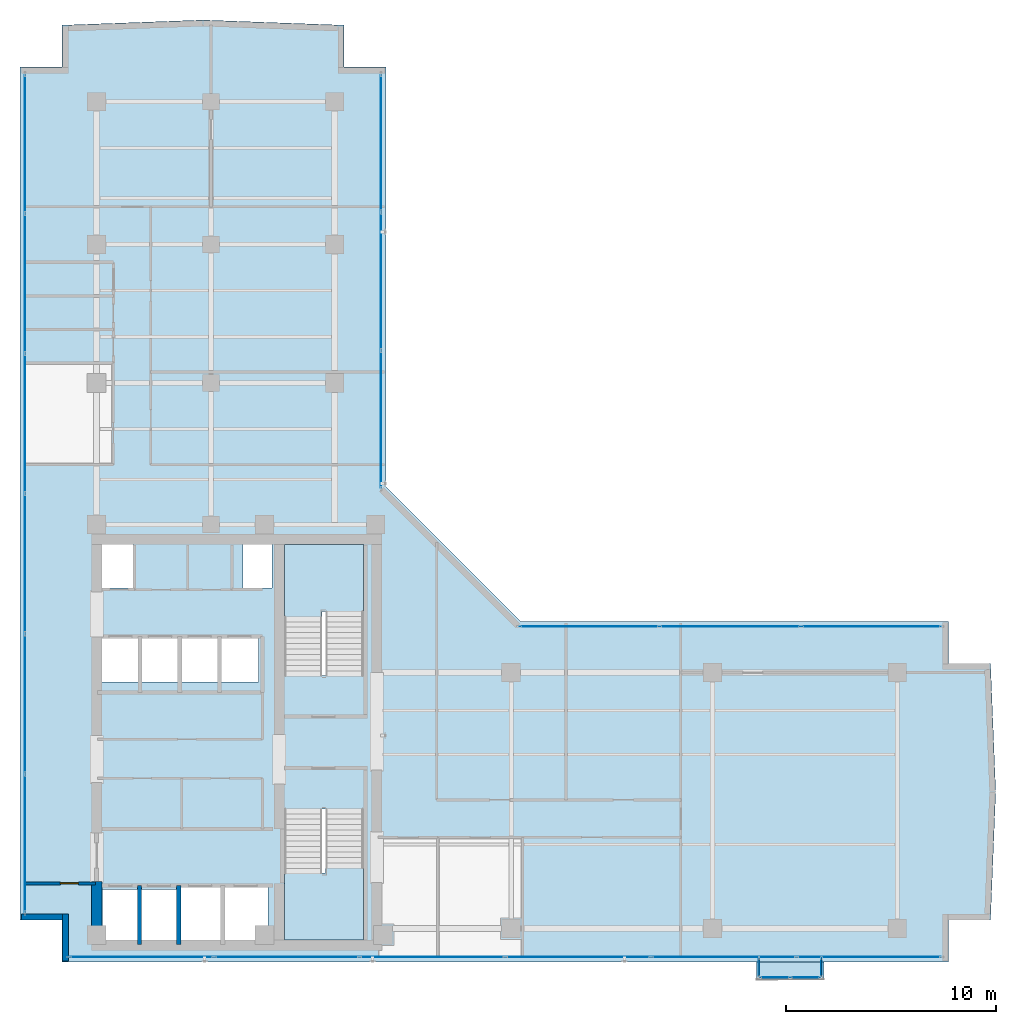
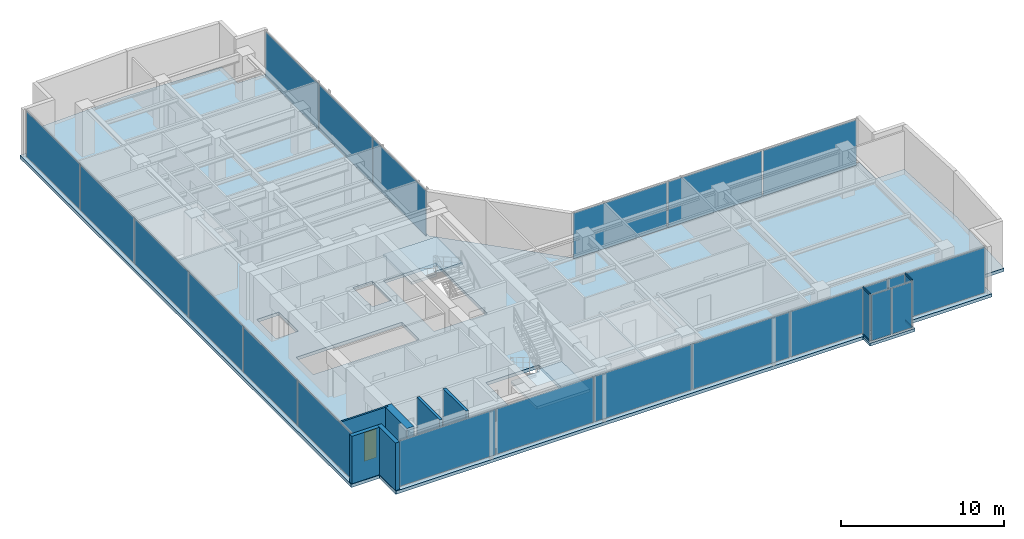
# One storey, part 15 of 23: 22 plates, 6 walls, 4 members, 4 slabs, 1 door, 1 opening, 9 elements without a shape of their own.
"""IFC4 building model written with IfcOpenShell, lengths in metres."""

import ifcopenshell
import ifcopenshell.guid

model = None  # the IFC model being written
_history = None  # IfcOwnerHistory: only IFC2X3 demands one
_inside = {}  # id of a spatial element -> (the spatial element, [elements in it])
_under = {}  # id of a project, library or spatial element -> (it, [spatial elements below it])
_declared = {}  # id of a project -> (the project, [libraries it declares])
_typed = {}  # id of a type object -> (the type object, [elements of that type])
_made_of = {}  # id of a material, layer set ... -> (it, [elements and type objects made of it])


def new_model(schema):
    """Start an empty IFC model of exactly this schema.

    Asked for "IFC4X3", IfcOpenShell would pick the latest addendum, in which some entities
    have other attributes; the version numbers below select the first issue.
    IFC2X3 requires an IfcOwnerHistory on every rooted entity: one is made here for all.
    """
    global model, _history
    if schema == "IFC4X3":
        model = ifcopenshell.file(schema_version=(4, 3, 0, 0))
    else:
        model = ifcopenshell.file(schema=schema)
    _inside.clear()
    _under.clear()
    _declared.clear()
    _typed.clear()
    _made_of.clear()
    _history = None
    if model.schema == "IFC2X3":
        org = make("IfcOrganization", Name="unknown")
        user = make(
            "IfcPersonAndOrganization",
            ThePerson=make("IfcPerson", FamilyName="unknown"),
            TheOrganization=org,
        )
        app = make(
            "IfcApplication",
            ApplicationDeveloper=org,
            Version="unknown",
            ApplicationFullName="unknown",
            ApplicationIdentifier="unknown",
        )
        _history = make(
            "IfcOwnerHistory",
            OwningUser=user,
            OwningApplication=app,
            ChangeAction="ADDED",
            CreationDate=0,
        )
    return model


def make(cls, **values):
    """One entity of the class cls with the attributes given. An attribute that is None is left unset."""
    return model.create_entity(
        cls, **{name: value for name, value in values.items() if value is not None}
    )


def rooted(cls, **values):
    """An entity with a GlobalId (a new one), such as an element, a storey or a relation."""
    return make(cls, GlobalId=ifcopenshell.guid.new(), OwnerHistory=_history, **values)


def si_unit(unit_type, name, prefix=None):
    """IfcSIUnit, for example si_unit("LENGTHUNIT", "METRE", prefix="MILLI")."""
    return make("IfcSIUnit", UnitType=unit_type, Prefix=prefix, Name=name)


def assignment(units):
    """IfcUnitAssignment: the units of a project."""
    return None if units is None else make("IfcUnitAssignment", Units=units)


def point(xyz):
    """IfcCartesianPoint."""
    return None if xyz is None else make("IfcCartesianPoint", Coordinates=xyz)


def direction(xyz):
    """IfcDirection."""
    return None if xyz is None else make("IfcDirection", DirectionRatios=xyz)


def frame(location, z_axis=None, x_axis=None):
    """IfcAxis2Placement3D, a coordinate frame: its origin and axes. An axis left out is left unset."""
    return make(
        "IfcAxis2Placement3D",
        Location=point(location),
        Axis=direction(z_axis),
        RefDirection=direction(x_axis),
    )


def frame_2d(location, x_axis=None):
    """IfcAxis2Placement2D, a coordinate frame in the plane: its origin and x axis."""
    return make(
        "IfcAxis2Placement2D", Location=point(location), RefDirection=direction(x_axis)
    )


def origin():
    """The frame at (0, 0, 0) with its axes left unset."""
    return frame((0.0, 0.0, 0.0))


def origin_with_axes():
    """The frame at (0, 0, 0) with the z axis (0, 0, 1) and the x axis (1, 0, 0) written out."""
    return frame((0.0, 0.0, 0.0), z_axis=(0.0, 0.0, 1.0), x_axis=(1.0, 0.0, 0.0))


def origin_2d():
    """The frame at (0, 0) in the plane with its x axis left unset."""
    return frame_2d((0.0, 0.0))


def place(relative_to, where):
    """IfcLocalPlacement: puts the frame where relative to a parent placement (None: the world)."""
    return make(
        "IfcLocalPlacement", PlacementRelTo=relative_to, RelativePlacement=where
    )


def context(
    kind, dimensions, precision=None, world=None, true_north=None, identifier=None
):
    """IfcGeometricRepresentationContext, for example the 3D "Model" context."""
    return make(
        "IfcGeometricRepresentationContext",
        ContextIdentifier=identifier,
        ContextType=kind,
        CoordinateSpaceDimension=dimensions,
        Precision=precision,
        WorldCoordinateSystem=world,
        TrueNorth=true_north,
    )


def subcontext(parent, identifier, kind, view, scale=None):
    """IfcGeometricRepresentationSubContext, for example "Body" below "Model"."""
    return make(
        "IfcGeometricRepresentationSubContext",
        ContextIdentifier=identifier,
        ContextType=kind,
        ParentContext=parent,
        TargetScale=scale,
        TargetView=view,
    )


def project(units=None, contexts=None):
    """IfcProject with its units and contexts."""
    return rooted(
        "IfcProject",
        Name="project",
        RepresentationContexts=contexts,
        UnitsInContext=assignment(units),
    )


def spatial(cls, under=None, at=None, **own):
    """A site, building, storey or space (cls), placed at a placement, below another one or the project."""
    s = rooted(cls, ObjectPlacement=at, **own)
    if under is not None:
        _under.setdefault(under.id(), (under, []))[1].append(s)
    return s


def polyline(points):
    """IfcPolyline through the points."""
    return make("IfcPolyline", Points=[point(p) for p in points])


def profile(cls, at=None, kind="AREA", **sizes):
    """A parametric profile (cls). Its sizes go by their IFC names, for example OverallWidth=200.0."""
    return make(cls, ProfileType=kind, Position=at, **sizes)


def rectangle(**sizes):
    """IfcRectangleProfileDef."""
    return profile("IfcRectangleProfileDef", **sizes)


def hollow_rectangle(**sizes):
    """IfcRectangleHollowProfileDef."""
    return profile("IfcRectangleHollowProfileDef", **sizes)


def outline(outer, holes=None, kind="AREA"):
    """IfcArbitraryClosedProfileDef: a profile drawn as a closed curve; with holes, ...WithVoids."""
    if holes is None:
        return make("IfcArbitraryClosedProfileDef", ProfileType=kind, OuterCurve=outer)
    return make(
        "IfcArbitraryProfileDefWithVoids",
        ProfileType=kind,
        OuterCurve=outer,
        InnerCurves=holes,
    )


def extrude(swept, where, along, depth):
    """IfcExtrudedAreaSolid: the profile swept, set in the frame where, extruded along a direction by depth."""
    return make(
        "IfcExtrudedAreaSolid",
        SweptArea=swept,
        Position=where,
        ExtrudedDirection=direction(along),
        Depth=depth,
    )


def shape(context_of_items, identifier, shape_type, items):
    """IfcShapeRepresentation: the items that make up one representation, for example the "Body"."""
    return make(
        "IfcShapeRepresentation",
        ContextOfItems=context_of_items,
        RepresentationIdentifier=identifier,
        RepresentationType=shape_type,
        Items=items,
    )


def source(mapping_origin, context_of_items, identifier, shape_type, items):
    """IfcRepresentationMap: a shape defined once, which mapped items show again and again."""
    return make(
        "IfcRepresentationMap",
        MappingOrigin=mapping_origin,
        MappedRepresentation=shape(context_of_items, identifier, shape_type, items),
    )


def transform(
    local_origin,
    x_axis=None,
    y_axis=None,
    z_axis=None,
    scale=None,
    scale2=None,
    scale3=None,
    uniform=True,
):
    """IfcCartesianTransformationOperator3D, or its non-uniform kind. x_axis, y_axis, z_axis: its Axis1, 2, 3."""
    if uniform:
        return make(
            "IfcCartesianTransformationOperator3D",
            Axis1=direction(x_axis),
            Axis2=direction(y_axis),
            LocalOrigin=point(local_origin),
            Scale=scale,
            Axis3=direction(z_axis),
        )
    return make(
        "IfcCartesianTransformationOperator3DnonUniform",
        Axis1=direction(x_axis),
        Axis2=direction(y_axis),
        LocalOrigin=point(local_origin),
        Scale=scale,
        Axis3=direction(z_axis),
        Scale2=scale2,
        Scale3=scale3,
    )


def mapped(mapping_source, mapping_target):
    """IfcMappedItem: shows the shape of a source again, moved by a transform."""
    return make(
        "IfcMappedItem", MappingSource=mapping_source, MappingTarget=mapping_target
    )


def material(Name=None, Category=None):
    """IfcMaterial."""
    return make("IfcMaterial", Name=Name, Category=Category)


def layer(
    of_material, thickness, ventilated=None, Name=None, Category=None, Priority=None
):
    """IfcMaterialLayer: one layer of a wall or slab, of a material (None: an air gap)."""
    return make(
        "IfcMaterialLayer",
        Material=of_material,
        LayerThickness=thickness,
        IsVentilated=ventilated,
        Name=Name,
        Category=Category,
        Priority=Priority,
    )


def layer_set(layers, Name=None):
    """IfcMaterialLayerSet."""
    return make("IfcMaterialLayerSet", MaterialLayers=layers, LayerSetName=Name)


def material_profile(
    of_material, cross_section, Name=None, Category=None, Priority=None
):
    """IfcMaterialProfile: a cross section and its material."""
    return make(
        "IfcMaterialProfile",
        Name=Name,
        Material=of_material,
        Profile=cross_section,
        Priority=Priority,
        Category=Category,
    )


def profile_set(profiles, Name=None, composite=None):
    """IfcMaterialProfileSet."""
    return make(
        "IfcMaterialProfileSet",
        Name=Name,
        MaterialProfiles=profiles,
        CompositeProfile=composite,
    )


def made_of(thing, what):
    """Note that an element or type object is made of a material, layer set ...; save() writes the relation."""
    if what is not None:
        _made_of.setdefault(what.id(), (what, []))[1].append(thing)
    return thing


def type_object(cls, material=None, **own):
    """A type object (cls), such as IfcWallType, which elements share."""
    return made_of(rooted(cls, **own), material)


def element(
    cls,
    number,
    at=None,
    inside=None,
    cuts=None,
    type_object=None,
    material=None,
    context=None,
    identifier="Body",
    shape_type=None,
    held_by="IfcProductDefinitionShape",
    body=None,
    shapes=None,
    **own,
):
    """One element of the class cls, such as IfcWall. Its Tag is "e" and its number.

    at: its placement. inside: the storey or other place that contains it. cuts: it is an
    opening in that element (IfcRelVoidsElement). A single representation is given by context,
    identifier, shape_type and body (its items); several are given by shapes. held_by: the class
    of the entity that holds the representations. save() writes the other relations.
    """
    e = rooted(cls, Tag="e%d" % number, ObjectPlacement=at, **own)
    if body is not None:
        shapes = [shape(context, identifier, shape_type, body)]
    if shapes is not None:
        e.Representation = make(held_by, Representations=shapes)
    if inside is not None:
        _inside.setdefault(inside.id(), (inside, []))[1].append(e)
    if cuts is not None:
        rooted(
            "IfcRelVoidsElement", RelatingBuildingElement=cuts, RelatedOpeningElement=e
        )
    if type_object is not None:
        _typed.setdefault(type_object.id(), (type_object, []))[1].append(e)
    return made_of(e, material)


def fill(opening, filler):
    """IfcRelFillsElement: the door or window that sits in an opening."""
    return rooted(
        "IfcRelFillsElement",
        RelatingOpeningElement=opening,
        RelatedBuildingElement=filler,
    )


def aggregate(whole, parts):
    """IfcRelAggregates: a whole, such as a stair, and the parts it consists of."""
    return rooted("IfcRelAggregates", RelatingObject=whole, RelatedObjects=parts)


def save(model, path):
    """Write the relations noted so far, then the file.

    IfcRelAggregates (storeys below a building ...), IfcRelContainedInSpatialStructure (elements
    in a storey), IfcRelDefinesByType, IfcRelAssociatesMaterial and IfcRelDeclares: one each for
    every whole, place, type object, material and project.
    """
    for whole, parts in _under.values():
        aggregate(whole, parts)
    for where, things in _inside.values():
        rooted(
            "IfcRelContainedInSpatialStructure",
            RelatedElements=things,
            RelatingStructure=where,
        )
    for kind, things in _typed.values():
        rooted("IfcRelDefinesByType", RelatedObjects=things, RelatingType=kind)
    for what, things in _made_of.values():
        rooted("IfcRelAssociatesMaterial", RelatedObjects=things, RelatingMaterial=what)
    for by, libraries in _declared.values():
        rooted("IfcRelDeclares", RelatingContext=by, RelatedDefinitions=libraries)
    model.write(path)


model = new_model("IFC4")

# Units and contexts
model_context = context("Model", 3, precision=1e-05, world=origin(), true_north=direction((0.0, 1.0)))
body_context = subcontext(model_context, "Body", "Model", "MODEL_VIEW")
ifc_project = project(units=[si_unit("LENGTHUNIT", "METRE"), si_unit("AREAUNIT", "SQUARE_METRE"), si_unit("VOLUMEUNIT", "CUBIC_METRE"), si_unit("PLANEANGLEUNIT", "RADIAN"), si_unit("MASSUNIT", "GRAM", prefix="KILO")], contexts=[model_context])

# Site, building, storey
site_placement = place(None, origin())
site = spatial("IfcSite", under=ifc_project, at=site_placement, CompositionType="ELEMENT")
building_placement = place(site_placement, origin())
building = spatial("IfcBuilding", under=site, at=building_placement, Name="Kolvaren Waterfront Exchange", CompositionType="ELEMENT")
storey_placement = place(building_placement, frame((0.0, 0.0, 319.800048828125)))
storey = spatial("IfcBuildingStorey", under=building, at=storey_placement, Name="L82", CompositionType="ELEMENT", Elevation=319.800048828125)

# Curtain wall, members
ifc_material_1 = material(Name="Anodised bronze aluminium 6063-T6", Category="aluminium")
ifc_layer_1 = layer(ifc_material_1, 0.219970703125, Name="Anodised bronze aluminium 6063-T6")
ifc_layer_set_1 = layer_set([ifc_layer_1], Name="Anodised bronze aluminium 6063-T6")
curtain_wall_type_1 = type_object("IfcCurtainWallType", Name="ARC-CW-SYS3", PredefinedType="USERDEFINED", material=ifc_layer_set_1)
curtain_wall_1_placement = place(storey_placement, origin())
curtain_wall_1 = element("IfcCurtainWall", 1, at=curtain_wall_1_placement, inside=storey, type_object=curtain_wall_type_1, Name="L82 stick curtain wall CW3 (CW-L82-BOX-W)", ObjectType="STICK CURTAIN WALL", PredefinedType="USERDEFINED")
ifc_material_profile = material_profile(ifc_material_1, hollow_rectangle(XDim=0.06494140625, YDim=0.1298828125, WallThickness=0.00390625, at=origin_2d()), Name="ALU-TRN-130x65x4")
ifc_profile_set = profile_set([ifc_material_profile], Name="Anodised bronze aluminium 6063-T6")
member_type = type_object("IfcMemberType", Name="ARC-CWT-130", PredefinedType="USERDEFINED", material=ifc_profile_set)
shared_shape_1 = source(origin_with_axes(), body_context, "Body", "SweptSolid", [
    extrude(hollow_rectangle(XDim=0.06494140625, YDim=0.1298828125, WallThickness=0.00390625, at=origin_2d()), origin(), (0.0, 0.0, 1.0), 0.829833984375),
])
member_1_placement = place(storey_placement, frame((39.010009765625, 3.764892578125, 0.032470703125), z_axis=(0.0, -1.0, 0.0), x_axis=(1.0, 0.0, 0.0)))
member_1 = element("IfcMember", 2, at=member_1_placement, type_object=member_type, Name="CW3 transom 1.1", ObjectType="TRANSOM", PredefinedType="USERDEFINED", context=body_context, shape_type="MappedRepresentation", body=[
    mapped(shared_shape_1, transform((0.0, 0.0, 0.0), x_axis=(1.0, 0.0, 0.0), y_axis=(0.0, 1.0, 0.0), z_axis=(0.0, 0.0, 1.0), scale=1.0)),
])
member_2_placement = place(storey_placement, frame((39.010009765625, 3.764892578125, 3.52734375), z_axis=(0.0, -1.0, 0.0), x_axis=(1.0, 0.0, 0.0)))
member_2 = element("IfcMember", 3, at=member_2_placement, type_object=member_type, Name="CW3 transom 1.2", ObjectType="TRANSOM", PredefinedType="USERDEFINED", context=body_context, shape_type="MappedRepresentation", body=[
    mapped(shared_shape_1, transform((0.0, 0.0, 0.0), x_axis=(1.0, 0.0, 0.0), y_axis=(0.0, 1.0, 0.0), z_axis=(0.0, 0.0, 1.0), scale=1.0)),
])

curtain_wall_2_placement = place(storey_placement, origin())
curtain_wall_2 = element("IfcCurtainWall", 4, at=curtain_wall_2_placement, inside=storey, type_object=curtain_wall_type_1, Name="L82 stick curtain wall CW3 (CW-L82-BOX-E)", ObjectType="STICK CURTAIN WALL", PredefinedType="USERDEFINED")
member_3_placement = place(storey_placement, frame((41.989990234375, 2.93505859375, 0.032470703125), z_axis=(0.0, 1.0, 0.0), x_axis=(-1.0, 0.0, 0.0)))
member_3 = element("IfcMember", 5, at=member_3_placement, type_object=member_type, Name="CW3 transom 1.1", ObjectType="TRANSOM", PredefinedType="USERDEFINED", context=body_context, shape_type="MappedRepresentation", body=[
    mapped(shared_shape_1, transform((0.0, 0.0, 0.0), x_axis=(1.0, 0.0, 0.0), y_axis=(0.0, 1.0, 0.0), z_axis=(0.0, 0.0, 1.0), scale=1.0)),
])
member_4_placement = place(storey_placement, frame((41.989990234375, 2.93505859375, 3.52734375), z_axis=(0.0, 1.0, 0.0), x_axis=(-1.0, 0.0, 0.0)))
member_4 = element("IfcMember", 6, at=member_4_placement, type_object=member_type, Name="CW3 transom 1.2", ObjectType="TRANSOM", PredefinedType="USERDEFINED", context=body_context, shape_type="MappedRepresentation", body=[
    mapped(shared_shape_1, transform((0.0, 0.0, 0.0), x_axis=(1.0, 0.0, 0.0), y_axis=(0.0, 1.0, 0.0), z_axis=(0.0, 0.0, 1.0), scale=1.0)),
])

# Stair, slab
ifc_material_2 = material(Name="Concrete C40/50", Category="concrete")
stair_type = type_object("IfcStairType", Name="ARC-STAIR-3800", PredefinedType="HALF_TURN_STAIR", material=ifc_material_2)
stair_1_placement = place(storey_placement, origin())
stair_1 = element("IfcStair", 7, at=stair_1_placement, inside=storey, type_object=stair_type, Name="L82 Smoke-proof exit stair ST1", PredefinedType="HALF_TURN_STAIR")
ifc_layer_2 = layer(ifc_material_2, 0.199951171875, Name="Concrete C40/50")
ifc_layer_set_2 = layer_set([ifc_layer_2], Name="Concrete C40/50")
slab_type_1 = type_object("IfcSlabType", Name="STR-LANDING-200", PredefinedType="LANDING", material=ifc_layer_set_2)
slab_1_placement = place(storey_placement, frame((0.0, 0.0, 1.77587890625)))
slab_1 = element("IfcSlab", 8, at=slab_1_placement, type_object=slab_type_1, Name="ST1 landing 1", PredefinedType="LANDING", context=body_context, shape_type="SweptSolid", body=[
    extrude(outline(polyline([(16.39990234375, 7.840087890625), (16.39990234375, 4.64990234375), (20.159912109375, 4.64990234375), (20.159912109375, 8.10009765625), (18.360107421875, 8.10009765625), (18.360107421875, 7.840087890625), (16.39990234375, 7.840087890625)])), origin(), (0.0, 0.0, 1.0), 0.199951171875),
])
aggregate(stair_1, [slab_1])

stair_2_placement = place(storey_placement, origin())
stair_2 = element("IfcStair", 9, at=stair_2_placement, inside=storey, type_object=stair_type, Name="L82 Smoke-proof exit stair ST2", PredefinedType="HALF_TURN_STAIR")
slab_2_placement = place(storey_placement, frame((0.0, 0.0, 1.77587890625)))
slab_2 = element("IfcSlab", 10, at=slab_2_placement, type_object=slab_type_1, Name="ST2 landing 1", PredefinedType="LANDING", context=body_context, shape_type="SweptSolid", body=[
    extrude(outline(polyline([(20.159912109375, 20.31005859375), (20.159912109375, 23.5), (16.39990234375, 23.5), (16.39990234375, 20.050048828125), (18.199951171875, 20.050048828125), (18.199951171875, 20.31005859375), (20.159912109375, 20.31005859375)])), origin(), (0.0, 0.0, 1.0), 0.199951171875),
])
aggregate(stair_2, [slab_2])

# Slabs
ifc_layer_3 = layer(ifc_material_2, 0.239990234375, Name="Concrete C40/50")
ifc_layer_set_3 = layer_set([ifc_layer_3], Name="Concrete C40/50")
slab_type_2 = type_object("IfcSlabType", Name="STR-SLAB-240", PredefinedType="FLOOR", material=ifc_layer_set_3)
slab_3_placement = place(storey_placement, frame((0.0, 0.0, -0.239990234375)))
element("IfcSlab", 11, at=slab_3_placement, inside=storey, type_object=slab_type_2, Name="L82 structural floor slab", PredefinedType="FLOOR", context=body_context, shape_type="SweptSolid", body=[
    extrude(outline(polyline([(5.800048828125, 3.60009765625), (48.04736328125, 3.60009765625), (48.04736328125, 5.60009765625), (50.04736328125, 5.60009765625), (50.294921875, 11.720947265625), (50.04736328125, 17.842041015625), (48.04736328125, 17.842041015625), (48.04736328125, 19.842041015625), (27.64208984375, 19.842041015625), (21.2421875, 26.2421875), (21.2421875, 46.247314453125), (19.2421875, 46.247314453125), (19.2421875, 48.247314453125), (12.52099609375, 48.494873046875), (5.800048828125, 48.247314453125), (5.800048828125, 46.247314453125), (3.800048828125, 46.247314453125), (3.800048828125, 5.60009765625), (5.800048828125, 5.60009765625), (5.800048828125, 3.60009765625)]), holes=[polyline([(11.320068359375, 7.260009765625), (15.610107421875, 7.260009765625), (15.610107421875, 4.5400390625), (7.719970703125, 4.5400390625), (7.719970703125, 7.06005859375), (11.320068359375, 7.06005859375), (11.320068359375, 7.260009765625)]), polyline([(20.159912109375, 10.89990234375), (20.159912109375, 4.64990234375), (16.39990234375, 4.64990234375), (16.39990234375, 10.89990234375), (20.159912109375, 10.89990234375)]), polyline([(7.669921875, 19.06005859375), (15.159912109375, 19.06005859375), (15.159912109375, 16.93994140625), (7.669921875, 16.93994140625), (7.669921875, 19.06005859375)]), polyline([(16.39990234375, 17.25), (16.39990234375, 23.5), (20.159912109375, 23.5), (20.159912109375, 17.25), (16.39990234375, 17.25)]), polyline([(7.60009765625, 23.780029296875), (9.179931640625, 23.780029296875), (9.179931640625, 21.419921875), (7.60009765625, 21.419921875), (7.60009765625, 23.780029296875)]), polyline([(14.419921875, 23.780029296875), (15.800048828125, 23.780029296875), (15.800048828125, 21.419921875), (14.419921875, 21.419921875), (14.419921875, 23.780029296875)])]), origin(), (0.0, 0.0, 1.0), 0.239990234375),
])
ifc_layer_4 = layer(ifc_material_2, 0.219970703125, Name="Concrete C40/50")
ifc_layer_set_4 = layer_set([ifc_layer_4], Name="Concrete C40/50")
slab_type_3 = type_object("IfcSlabType", Name="STR-TERR-220", PredefinedType="FLOOR", material=ifc_layer_set_4)
slab_4_placement = place(storey_placement, frame((0.0, 0.0, -0.219970703125)))
element("IfcSlab", 12, at=slab_4_placement, inside=storey, type_object=slab_type_3, Name="L82 projecting bay-box floor strip", PredefinedType="FLOOR", context=body_context, shape_type="SweptSolid", body=[
    extrude(outline(polyline([(38.89990234375, 2.75), (42.10009765625, 2.75), (42.10009765625, 3.60009765625), (38.89990234375, 3.60009765625), (38.89990234375, 2.75)])), origin(), (0.0, 0.0, 1.0), 0.219970703125),
])

# Plate
ifc_material_3 = material(Name="Bronze tinted bay-box vision glass", Category="aluminium")
ifc_layer_5 = layer(ifc_material_3, 0.02392578125, Name="Bronze tinted bay-box vision glass")
ifc_layer_set_5 = layer_set([ifc_layer_5], Name="Bronze tinted bay-box vision glass")
plate_type_1 = type_object("IfcPlateType", Name="ARC-CWP-24", PredefinedType="CURTAIN_PANEL", material=ifc_layer_set_5)
shared_shape_2 = source(origin_with_axes(), body_context, "Body", "SweptSolid", [
    extrude(rectangle(XDim=0.830078125, YDim=0.02392578125, at=origin_2d()), origin(), (0.0, 0.0, 1.0), 3.429931640625),
])
plate_1_placement = place(storey_placement, frame((39.010009765625, 3.35009765625, 0.06494140625), z_axis=(0.0, 0.0, 1.0), x_axis=(0.0, -1.0, 0.0)))
plate_1 = element("IfcPlate", 13, at=plate_1_placement, type_object=plate_type_1, Name="CW3 panel 1.1", PredefinedType="CURTAIN_PANEL", context=body_context, shape_type="MappedRepresentation", body=[
    mapped(shared_shape_2, transform((0.0, 0.0, 0.0), x_axis=(1.0, 0.0, 0.0), y_axis=(0.0, 1.0, 0.0), z_axis=(0.0, 0.0, 1.0), scale=1.0)),
])

aggregate(curtain_wall_1, [member_1, member_2, plate_1])

plate_2_placement = place(storey_placement, frame((41.989990234375, 3.35009765625, 0.06494140625), z_axis=(0.0, 0.0, 1.0), x_axis=(0.0, 1.0, 0.0)))
plate_2 = element("IfcPlate", 14, at=plate_2_placement, type_object=plate_type_1, Name="CW3 panel 1.1", PredefinedType="CURTAIN_PANEL", context=body_context, shape_type="MappedRepresentation", body=[
    mapped(shared_shape_2, transform((0.0, 0.0, 0.0), x_axis=(1.0, 0.0, 0.0), y_axis=(0.0, 1.0, 0.0), z_axis=(0.0, 0.0, 1.0), scale=1.0)),
])

aggregate(curtain_wall_2, [member_3, member_4, plate_2])

# Curtain wall, plates
curtain_wall_3_placement = place(storey_placement, origin())
curtain_wall_3 = element("IfcCurtainWall", 15, at=curtain_wall_3_placement, inside=storey, type_object=curtain_wall_type_1, Name="L82 stick curtain wall CW3 (CW-L82-BOX)", ObjectType="STICK CURTAIN WALL", PredefinedType="USERDEFINED")
shared_shape_3 = source(origin_with_axes(), body_context, "Body", "SweptSolid", [
    extrude(rectangle(XDim=1.37744140625, YDim=0.02392578125, at=origin_2d()), origin(), (0.0, 0.0, 1.0), 3.429931640625),
])
plate_3_placement = place(storey_placement, frame((39.773681640625, 2.860107421875, 0.06494140625), z_axis=(0.0, 0.0, 1.0), x_axis=(1.0, 0.0, 0.0)))
plate_3 = element("IfcPlate", 16, at=plate_3_placement, type_object=plate_type_1, Name="CW3 panel 1.1", PredefinedType="CURTAIN_PANEL", context=body_context, shape_type="MappedRepresentation", body=[
    mapped(shared_shape_3, transform((0.0, 0.0, 0.0), x_axis=(1.0, 0.0, 0.0), y_axis=(0.0, 1.0, 0.0), z_axis=(0.0, 0.0, 1.0), scale=1.0)),
])
plate_4_placement = place(storey_placement, frame((41.226318359375, 2.860107421875, 0.06494140625), z_axis=(0.0, 0.0, 1.0), x_axis=(1.0, 0.0, 0.0)))
plate_4 = element("IfcPlate", 17, at=plate_4_placement, type_object=plate_type_1, Name="CW3 panel 2.1", PredefinedType="CURTAIN_PANEL", context=body_context, shape_type="MappedRepresentation", body=[
    mapped(shared_shape_3, transform((0.0, 0.0, 0.0), x_axis=(1.0, 0.0, 0.0), y_axis=(0.0, 1.0, 0.0), z_axis=(0.0, 0.0, 1.0), scale=1.0)),
])
aggregate(curtain_wall_3, [plate_3, plate_4])

ifc_layer_6 = layer(ifc_material_1, 0.219970703125, Name="Anodised bronze aluminium 6063-T6")
ifc_layer_set_6 = layer_set([ifc_layer_6], Name="Anodised bronze aluminium 6063-T6")
curtain_wall_type_2 = type_object("IfcCurtainWallType", Name="ARC-CW-SYS1", PredefinedType="USERDEFINED", material=ifc_layer_set_6)
curtain_wall_4_placement = place(storey_placement, origin())
curtain_wall_4 = element("IfcCurtainWall", 18, at=curtain_wall_4_placement, inside=storey, type_object=curtain_wall_type_2, Name="L82 stick curtain wall CW1 (CW-L82-S)", ObjectType="STICK CURTAIN WALL", PredefinedType="USERDEFINED")
ifc_material_4 = material(Name="Bronze solar control vision glass", Category="aluminium")
ifc_layer_7 = layer(ifc_material_4, 0.028076171875, Name="Bronze solar control vision glass")
ifc_layer_set_7 = layer_set([ifc_layer_7], Name="Bronze solar control vision glass")
plate_type_2 = type_object("IfcPlateType", Name="ARC-CWP-28", PredefinedType="CURTAIN_PANEL", material=ifc_layer_set_7)
shared_shape_4 = source(origin_with_axes(), body_context, "Body", "SweptSolid", [
    extrude(rectangle(XDim=6.8212890625, YDim=0.028076171875, at=origin_2d()), origin(), (0.0, 0.0, 1.0), 3.409912109375),
])
plate_5_placement = place(storey_placement, frame((9.590576171875, 3.840087890625, 0.0751953125), z_axis=(0.0, 0.0, 1.0), x_axis=(1.0, 0.0, 0.0)))
plate_5 = element("IfcPlate", 19, at=plate_5_placement, type_object=plate_type_2, Name="CW1 panel 1.1", PredefinedType="CURTAIN_PANEL", context=body_context, shape_type="MappedRepresentation", body=[
    mapped(shared_shape_4, transform((0.0, 0.0, 0.0), x_axis=(1.0, 0.0, 0.0), y_axis=(0.0, 1.0, 0.0), z_axis=(0.0, 0.0, 1.0), scale=1.0)),
])
plate_6_placement = place(storey_placement, frame((44.2568359375, 3.840087890625, 0.0751953125), z_axis=(0.0, 0.0, 1.0), x_axis=(1.0, 0.0, 0.0)))
plate_6 = element("IfcPlate", 20, at=plate_6_placement, type_object=plate_type_2, Name="CW1 panel 6.1", PredefinedType="CURTAIN_PANEL", context=body_context, shape_type="MappedRepresentation", body=[
    mapped(shared_shape_4, transform((0.0, 0.0, 0.0), x_axis=(1.0, 0.0, 0.0), y_axis=(0.0, 1.0, 0.0), z_axis=(0.0, 0.0, 1.0), scale=1.0)),
])
shared_shape_5 = source(origin_with_axes(), body_context, "Body", "SweptSolid", [
    extrude(rectangle(XDim=6.861328125, YDim=0.028076171875, at=origin_2d()), origin(), (0.0, 0.0, 1.0), 3.409912109375),
])
plate_7_placement = place(storey_placement, frame((16.511962890625, 3.840087890625, 0.0751953125), z_axis=(0.0, 0.0, 1.0), x_axis=(1.0, 0.0, 0.0)))
plate_7 = element("IfcPlate", 21, at=plate_7_placement, type_object=plate_type_2, Name="CW1 panel 2.1", PredefinedType="CURTAIN_PANEL", context=body_context, shape_type="MappedRepresentation", body=[
    mapped(shared_shape_5, transform((0.0, 0.0, 0.0), x_axis=(1.0, 0.0, 0.0), y_axis=(0.0, 1.0, 0.0), z_axis=(0.0, 0.0, 1.0), scale=1.0)),
])
plate_8_placement = place(storey_placement, frame((23.453125, 3.840087890625, 0.0751953125), z_axis=(0.0, 0.0, 1.0), x_axis=(1.0, 0.0, 0.0)))
plate_8 = element("IfcPlate", 22, at=plate_8_placement, type_object=plate_type_2, Name="CW1 panel 3.1", PredefinedType="CURTAIN_PANEL", context=body_context, shape_type="MappedRepresentation", body=[
    mapped(shared_shape_5, transform((0.0, 0.0, 0.0), x_axis=(1.0, 0.0, 0.0), y_axis=(0.0, 1.0, 0.0), z_axis=(0.0, 0.0, 1.0), scale=1.0)),
])
plate_9_placement = place(storey_placement, frame((30.394287109375, 3.840087890625, 0.0751953125), z_axis=(0.0, 0.0, 1.0), x_axis=(1.0, 0.0, 0.0)))
plate_9 = element("IfcPlate", 23, at=plate_9_placement, type_object=plate_type_2, Name="CW1 panel 4.1", PredefinedType="CURTAIN_PANEL", context=body_context, shape_type="MappedRepresentation", body=[
    mapped(shared_shape_5, transform((0.0, 0.0, 0.0), x_axis=(1.0, 0.0, 0.0), y_axis=(0.0, 1.0, 0.0), z_axis=(0.0, 0.0, 1.0), scale=1.0)),
])
plate_10_placement = place(storey_placement, frame((37.33544921875, 3.840087890625, 0.0751953125), z_axis=(0.0, 0.0, 1.0), x_axis=(1.0, 0.0, 0.0)))
plate_10 = element("IfcPlate", 24, at=plate_10_placement, type_object=plate_type_2, Name="CW1 panel 5.1", PredefinedType="CURTAIN_PANEL", context=body_context, shape_type="MappedRepresentation", body=[
    mapped(shared_shape_5, transform((0.0, 0.0, 0.0), x_axis=(1.0, 0.0, 0.0), y_axis=(0.0, 1.0, 0.0), z_axis=(0.0, 0.0, 1.0), scale=1.0)),
])
aggregate(curtain_wall_4, [plate_5, plate_7, plate_8, plate_9, plate_10, plate_6])

ifc_material_5 = material(Name="Anodised aluminium 6063-T6", Category="aluminium")
ifc_layer_8 = layer(ifc_material_5, 0.219970703125, Name="Anodised aluminium 6063-T6")
ifc_layer_set_8 = layer_set([ifc_layer_8], Name="Anodised aluminium 6063-T6")
curtain_wall_type_3 = type_object("IfcCurtainWallType", Name="ARC-CW-SYS2", PredefinedType="USERDEFINED", material=ifc_layer_set_8)
curtain_wall_5_placement = place(storey_placement, origin())
curtain_wall_5 = element("IfcCurtainWall", 25, at=curtain_wall_5_placement, inside=storey, type_object=curtain_wall_type_3, Name="L82 stick curtain wall CW2 (CW-L82-W)", ObjectType="STICK CURTAIN WALL", PredefinedType="USERDEFINED")
ifc_material_6 = material(Name="Acoustic laminated vision glass", Category="glass")
ifc_layer_9 = layer(ifc_material_6, 0.031982421875, Name="Acoustic laminated vision glass")
ifc_layer_set_9 = layer_set([ifc_layer_9], Name="Acoustic laminated vision glass")
plate_type_3 = type_object("IfcPlateType", Name="ARC-CWP-32", PredefinedType="CURTAIN_PANEL", material=ifc_layer_set_9)
shared_shape_6 = source(origin_with_axes(), body_context, "Body", "SweptSolid", [
    extrude(rectangle(XDim=6.5546875, YDim=0.031982421875, at=origin_2d()), origin(), (0.0, 0.0, 1.0), 3.409912109375),
])
plate_11_placement = place(storey_placement, frame((4.0400390625, 9.25732421875, 0.0751953125), z_axis=(0.0, 0.0, 1.0), x_axis=(0.0, 1.0, 0.0)))
plate_11 = element("IfcPlate", 26, at=plate_11_placement, type_object=plate_type_3, Name="CW2 panel 1.1", PredefinedType="CURTAIN_PANEL", context=body_context, shape_type="MappedRepresentation", body=[
    mapped(shared_shape_6, transform((0.0, 0.0, 0.0), x_axis=(1.0, 0.0, 0.0), y_axis=(0.0, 1.0, 0.0), z_axis=(0.0, 0.0, 1.0), scale=1.0)),
])
plate_12_placement = place(storey_placement, frame((4.0400390625, 42.590087890625, 0.0751953125), z_axis=(0.0, 0.0, 1.0), x_axis=(0.0, 1.0, 0.0)))
plate_12 = element("IfcPlate", 27, at=plate_12_placement, type_object=plate_type_3, Name="CW2 panel 6.1", PredefinedType="CURTAIN_PANEL", context=body_context, shape_type="MappedRepresentation", body=[
    mapped(shared_shape_6, transform((0.0, 0.0, 0.0), x_axis=(1.0, 0.0, 0.0), y_axis=(0.0, 1.0, 0.0), z_axis=(0.0, 0.0, 1.0), scale=1.0)),
])
shared_shape_7 = source(origin_with_axes(), body_context, "Body", "SweptSolid", [
    extrude(rectangle(XDim=6.594482421875, YDim=0.031982421875, at=origin_2d()), origin(), (0.0, 0.0, 1.0), 3.409912109375),
])
plate_13_placement = place(storey_placement, frame((4.0400390625, 15.911865234375, 0.0751953125), z_axis=(0.0, 0.0, 1.0), x_axis=(0.0, 1.0, 0.0)))
plate_13 = element("IfcPlate", 28, at=plate_13_placement, type_object=plate_type_3, Name="CW2 panel 2.1", PredefinedType="CURTAIN_PANEL", context=body_context, shape_type="MappedRepresentation", body=[
    mapped(shared_shape_7, transform((0.0, 0.0, 0.0), x_axis=(1.0, 0.0, 0.0), y_axis=(0.0, 1.0, 0.0), z_axis=(0.0, 0.0, 1.0), scale=1.0)),
])
plate_14_placement = place(storey_placement, frame((4.0400390625, 22.58642578125, 0.0751953125), z_axis=(0.0, 0.0, 1.0), x_axis=(0.0, 1.0, 0.0)))
plate_14 = element("IfcPlate", 29, at=plate_14_placement, type_object=plate_type_3, Name="CW2 panel 3.1", PredefinedType="CURTAIN_PANEL", context=body_context, shape_type="MappedRepresentation", body=[
    mapped(shared_shape_7, transform((0.0, 0.0, 0.0), x_axis=(1.0, 0.0, 0.0), y_axis=(0.0, 1.0, 0.0), z_axis=(0.0, 0.0, 1.0), scale=1.0)),
])
plate_15_placement = place(storey_placement, frame((4.0400390625, 29.260986328125, 0.0751953125), z_axis=(0.0, 0.0, 1.0), x_axis=(0.0, 1.0, 0.0)))
plate_15 = element("IfcPlate", 30, at=plate_15_placement, type_object=plate_type_3, Name="CW2 panel 4.1", PredefinedType="CURTAIN_PANEL", context=body_context, shape_type="MappedRepresentation", body=[
    mapped(shared_shape_7, transform((0.0, 0.0, 0.0), x_axis=(1.0, 0.0, 0.0), y_axis=(0.0, 1.0, 0.0), z_axis=(0.0, 0.0, 1.0), scale=1.0)),
])
plate_16_placement = place(storey_placement, frame((4.0400390625, 35.935546875, 0.0751953125), z_axis=(0.0, 0.0, 1.0), x_axis=(0.0, 1.0, 0.0)))
plate_16 = element("IfcPlate", 31, at=plate_16_placement, type_object=plate_type_3, Name="CW2 panel 5.1", PredefinedType="CURTAIN_PANEL", context=body_context, shape_type="MappedRepresentation", body=[
    mapped(shared_shape_7, transform((0.0, 0.0, 0.0), x_axis=(1.0, 0.0, 0.0), y_axis=(0.0, 1.0, 0.0), z_axis=(0.0, 0.0, 1.0), scale=1.0)),
])
aggregate(curtain_wall_5, [plate_11, plate_13, plate_14, plate_15, plate_16, plate_12])

curtain_wall_6_placement = place(storey_placement, origin())
curtain_wall_6 = element("IfcCurtainWall", 32, at=curtain_wall_6_placement, inside=storey, type_object=curtain_wall_type_2, Name="L82 stick curtain wall CW1 (CW-L82-NE)", ObjectType="STICK CURTAIN WALL", PredefinedType="USERDEFINED")
shared_shape_8 = source(origin_with_axes(), body_context, "Body", "SweptSolid", [
    extrude(rectangle(XDim=6.485107421875, YDim=0.028076171875, at=origin_2d()), origin(), (0.0, 0.0, 1.0), 3.409912109375),
])
plate_17_placement = place(storey_placement, frame((21.002197265625, 29.45458984375, 0.0751953125), z_axis=(0.0, 0.0, 1.0), x_axis=(0.0, 1.0, 0.0)))
plate_17 = element("IfcPlate", 33, at=plate_17_placement, type_object=plate_type_2, Name="CW1 panel 1.1", PredefinedType="CURTAIN_PANEL", context=body_context, shape_type="MappedRepresentation", body=[
    mapped(shared_shape_8, transform((0.0, 0.0, 0.0), x_axis=(1.0, 0.0, 0.0), y_axis=(0.0, 1.0, 0.0), z_axis=(0.0, 0.0, 1.0), scale=1.0)),
])
plate_18_placement = place(storey_placement, frame((21.002197265625, 42.624755859375, 0.0751953125), z_axis=(0.0, 0.0, 1.0), x_axis=(0.0, 1.0, 0.0)))
plate_18 = element("IfcPlate", 34, at=plate_18_placement, type_object=plate_type_2, Name="CW1 panel 3.1", PredefinedType="CURTAIN_PANEL", context=body_context, shape_type="MappedRepresentation", body=[
    mapped(shared_shape_8, transform((0.0, 0.0, 0.0), x_axis=(1.0, 0.0, 0.0), y_axis=(0.0, 1.0, 0.0), z_axis=(0.0, 0.0, 1.0), scale=1.0)),
])
shared_shape_9 = source(origin_with_axes(), body_context, "Body", "SweptSolid", [
    extrude(rectangle(XDim=6.525146484375, YDim=0.028076171875, at=origin_2d()), origin(), (0.0, 0.0, 1.0), 3.409912109375),
])
plate_19_placement = place(storey_placement, frame((21.002197265625, 36.039794921875, 0.0751953125), z_axis=(0.0, 0.0, 1.0), x_axis=(0.0, 1.0, 0.0)))
plate_19 = element("IfcPlate", 35, at=plate_19_placement, type_object=plate_type_2, Name="CW1 panel 2.1", PredefinedType="CURTAIN_PANEL", context=body_context, shape_type="MappedRepresentation", body=[
    mapped(shared_shape_9, transform((0.0, 0.0, 0.0), x_axis=(1.0, 0.0, 0.0), y_axis=(0.0, 1.0, 0.0), z_axis=(0.0, 0.0, 1.0), scale=1.0)),
])
aggregate(curtain_wall_6, [plate_17, plate_19, plate_18])

curtain_wall_7_placement = place(storey_placement, origin())
curtain_wall_7 = element("IfcCurtainWall", 36, at=curtain_wall_7_placement, inside=storey, type_object=curtain_wall_type_2, Name="L82 stick curtain wall CW1 (CW-L82-EN)", ObjectType="STICK CURTAIN WALL", PredefinedType="USERDEFINED")
shared_shape_10 = source(origin_with_axes(), body_context, "Body", "SweptSolid", [
    extrude(rectangle(XDim=6.618408203125, YDim=0.028076171875, at=origin_2d()), origin(), (0.0, 0.0, 1.0), 3.409912109375),
])
plate_20_placement = place(storey_placement, frame((30.92138671875, 19.60205078125, 0.0751953125), z_axis=(0.0, 0.0, 1.0), x_axis=(1.0, 0.0, 0.0)))
plate_20 = element("IfcPlate", 37, at=plate_20_placement, type_object=plate_type_2, Name="CW1 panel 1.1", PredefinedType="CURTAIN_PANEL", context=body_context, shape_type="MappedRepresentation", body=[
    mapped(shared_shape_10, transform((0.0, 0.0, 0.0), x_axis=(1.0, 0.0, 0.0), y_axis=(0.0, 1.0, 0.0), z_axis=(0.0, 0.0, 1.0), scale=1.0)),
])
plate_21_placement = place(storey_placement, frame((44.358154296875, 19.60205078125, 0.0751953125), z_axis=(0.0, 0.0, 1.0), x_axis=(1.0, 0.0, 0.0)))
plate_21 = element("IfcPlate", 38, at=plate_21_placement, type_object=plate_type_2, Name="CW1 panel 3.1", PredefinedType="CURTAIN_PANEL", context=body_context, shape_type="MappedRepresentation", body=[
    mapped(shared_shape_10, transform((0.0, 0.0, 0.0), x_axis=(1.0, 0.0, 0.0), y_axis=(0.0, 1.0, 0.0), z_axis=(0.0, 0.0, 1.0), scale=1.0)),
])
shared_shape_11 = source(origin_with_axes(), body_context, "Body", "SweptSolid", [
    extrude(rectangle(XDim=6.658447265625, YDim=0.028076171875, at=origin_2d()), origin(), (0.0, 0.0, 1.0), 3.409912109375),
])
plate_22_placement = place(storey_placement, frame((37.6396484375, 19.60205078125, 0.0751953125), z_axis=(0.0, 0.0, 1.0), x_axis=(1.0, 0.0, 0.0)))
plate_22 = element("IfcPlate", 39, at=plate_22_placement, type_object=plate_type_2, Name="CW1 panel 2.1", PredefinedType="CURTAIN_PANEL", context=body_context, shape_type="MappedRepresentation", body=[
    mapped(shared_shape_11, transform((0.0, 0.0, 0.0), x_axis=(1.0, 0.0, 0.0), y_axis=(0.0, 1.0, 0.0), z_axis=(0.0, 0.0, 1.0), scale=1.0)),
])
aggregate(curtain_wall_7, [plate_20, plate_22, plate_21])

# Walls
ifc_material_7 = material(Name="Precast concrete C40/50", Category="concrete")
ifc_layer_10 = layer(ifc_material_7, 0.280029296875, Name="Precast concrete C40/50")
ifc_layer_set_10 = layer_set([ifc_layer_10], Name="Precast concrete C40/50")
wall_type_1 = type_object("IfcWallType", Name="ARC-EXT-TERR-280", PredefinedType="SOLIDWALL", material=ifc_layer_set_10)
wall_1_placement = place(storey_placement, frame((5.9599609375, 3.659912109375, 0.0), z_axis=(0.0, 0.0, 1.0), x_axis=(0.0, 1.0, 0.0)))
element("IfcWall", 40, at=wall_1_placement, inside=storey, type_object=wall_type_1, Name="L82 notched corner spandrel pier SW-A", PredefinedType="SOLIDWALL", context=body_context, shape_type="SweptSolid", body=[
    extrude(rectangle(XDim=2.239990234375, YDim=0.280029296875, at=frame_2d((1.1201171875, 0.0))), origin(), (0.0, 0.0, 1.0), 3.56005859375),
])
wall_2_placement = place(storey_placement, frame((3.860107421875, 5.760009765625, 0.0), z_axis=(0.0, 0.0, 1.0), x_axis=(1.0, 0.0, 0.0)))
element("IfcWall", 41, at=wall_2_placement, inside=storey, type_object=wall_type_1, Name="L82 notched corner spandrel pier SW-B", PredefinedType="SOLIDWALL", context=body_context, shape_type="SweptSolid", body=[
    extrude(rectangle(XDim=1.9599609375, YDim=0.280029296875, at=frame_2d((0.97998046875, 0.0))), origin(), (0.0, 0.0, 1.0), 3.56005859375),
])

# Wall, opening, door
ifc_material_8 = material(Name="Acoustic gypsum steel stud", Category="steel")
ifc_layer_11 = layer(ifc_material_8, 0.125, Name="Acoustic gypsum steel stud")
ifc_layer_set_11 = layer_set([ifc_layer_11], Name="Acoustic gypsum steel stud")
wall_type_2 = type_object("IfcWallType", Name="ARC-PART-125", PredefinedType="PARTITIONING", material=ifc_layer_set_11)
wall_3_placement = place(storey_placement, frame((4.0400390625, 7.35009765625, 0.0), z_axis=(0.0, 0.0, 1.0), x_axis=(1.0, 0.0, 0.0)))
wall_3 = element("IfcWall", 42, at=wall_3_placement, inside=storey, type_object=wall_type_2, Name="L82 interior wall PW-L82-SWC-N", PredefinedType="PARTITIONING", context=body_context, shape_type="SweptSolid", body=[
    extrude(rectangle(XDim=3.35986328125, YDim=0.125, at=frame_2d((1.679931640625, 0.0))), origin(), (0.0, 0.0, 1.0), 3.56005859375),
])
opening_placement = place(wall_3_placement, frame((1.686767578125, 0.0, 0.0)))
opening = element("IfcOpeningElement", 43, at=opening_placement, cuts=wall_3, Name="Opening D01", PredefinedType="OPENING", context=body_context, shape_type="SweptSolid", body=[
    extrude(rectangle(XDim=0.85009765625, YDim=2.14990234375, at=frame_2d((0.425048828125, 1.074951171875))), frame((0.0, 0.072509765625, 0.0), z_axis=(0.0, -1.0, 0.0), x_axis=(1.0, 0.0, 0.0)), (0.0, 0.0, 1.0), 0.14501953125),
])
ifc_material_9 = material(Name="Oak veneer timber leaf", Category="wood")
door_type = type_object("IfcDoorType", Name="ARC-DR-900", OperationType="NOTDEFINED", PredefinedType="DOOR", material=ifc_material_9)
door_placement = place(opening_placement, origin())
door = element("IfcDoor", 44, at=door_placement, inside=storey, type_object=door_type, Name="L82 door DR-L82-SWC-D (D01)", OperationType="SINGLE_SWING_RIGHT", OverallHeight=2.14990234375, OverallWidth=0.85009765625, PredefinedType="DOOR", context=body_context, shape_type="SweptSolid", body=[
    extrude(rectangle(XDim=0.85009765625, YDim=2.14990234375, at=frame_2d((0.425048828125, 1.074951171875))), frame((0.0, 0.02490234375, 0.0), z_axis=(0.0, -1.0, 0.0), x_axis=(1.0, 0.0, 0.0)), (0.0, 0.0, 1.0), 0.050048828125),
])
fill(opening, door)

# Walls
ifc_layer_12 = layer(ifc_material_2, 0.199951171875, Name="Concrete C40/50")
ifc_layer_set_12 = layer_set([ifc_layer_12], Name="Concrete C40/50")
wall_type_3 = type_object("IfcWallType", Name="ARC-SHAFT-200", PredefinedType="PARTITIONING", material=ifc_layer_set_12)
for number, where, z_axis, x_axis, name in (
    (45, (9.5, 4.449951171875, 0.0), (0.0, 0.0, 1.0), (0.0, 1.0, 0.0), "L82 interior wall PW-L82-SH1-DIV-95"),
    (46, (11.360107421875, 4.449951171875, 0.0), (0.0, 0.0, 1.0), (0.0, 1.0, 0.0), "L82 interior wall PW-L82-SH1-DIV-113"),
):
    element("IfcWall", number, at=place(storey_placement, frame(where, z_axis=z_axis, x_axis=x_axis)), inside=storey, type_object=wall_type_3, Name=name, PredefinedType="PARTITIONING", context=body_context, shape_type="SweptSolid", body=[
        extrude(rectangle(XDim=2.800048828125, YDim=0.199951171875, at=frame_2d((1.39990234375, 0.0))), origin(), (0.0, 0.0, 1.0), 3.56005859375),
    ])
ifc_material_10 = material(Name="Concrete C50/60", Category="concrete")
ifc_layer_13 = layer(ifc_material_10, 0.5, Name="Concrete C50/60")
ifc_layer_set_13 = layer_set([ifc_layer_13], Name="Concrete C50/60")
wall_type_4 = type_object("IfcWallType", Name="STR-CWALL-500", PredefinedType="SHEAR", material=ifc_layer_set_13)
wall_4_placement = place(storey_placement, frame((7.449951171875, 4.64990234375, 0.0), z_axis=(0.0, 0.0, 1.0), x_axis=(0.0, 1.0, 0.0)))
element("IfcWall", 47, at=wall_4_placement, inside=storey, type_object=wall_type_4, Name="L82 rear-core shear wall W1", PredefinedType="SHEAR", context=body_context, shape_type="SweptSolid", body=[
    extrude(rectangle(XDim=2.800048828125, YDim=0.5, at=frame_2d((1.39990234375, 0.0))), origin(), (0.0, 0.0, 1.0), 3.56005859375),
])

save(model, "model.ifc")
